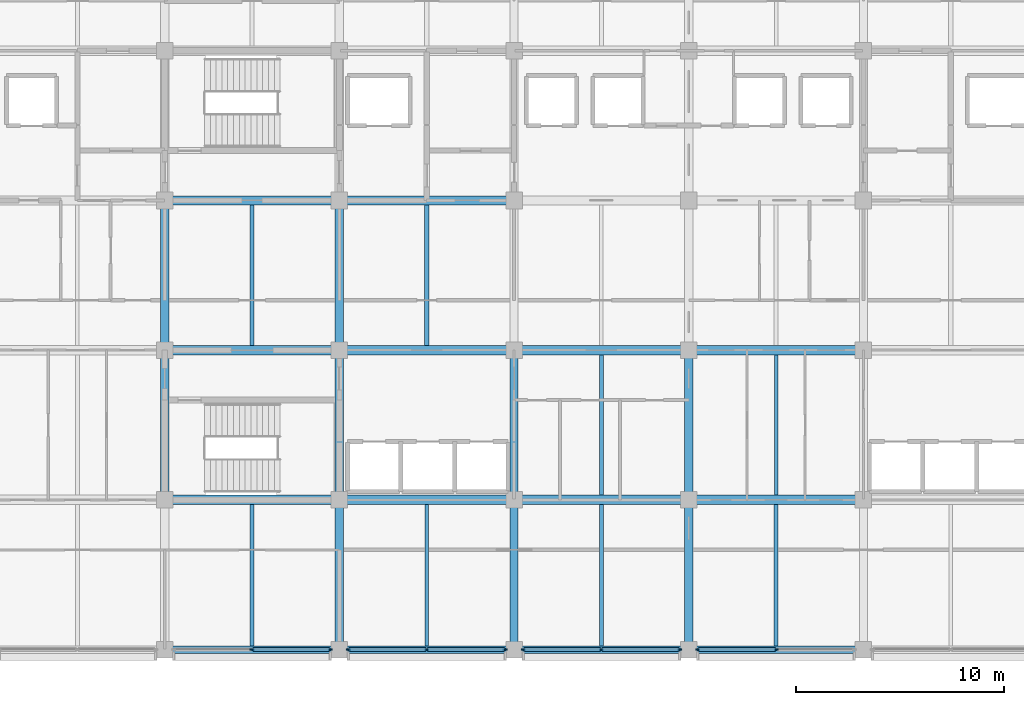
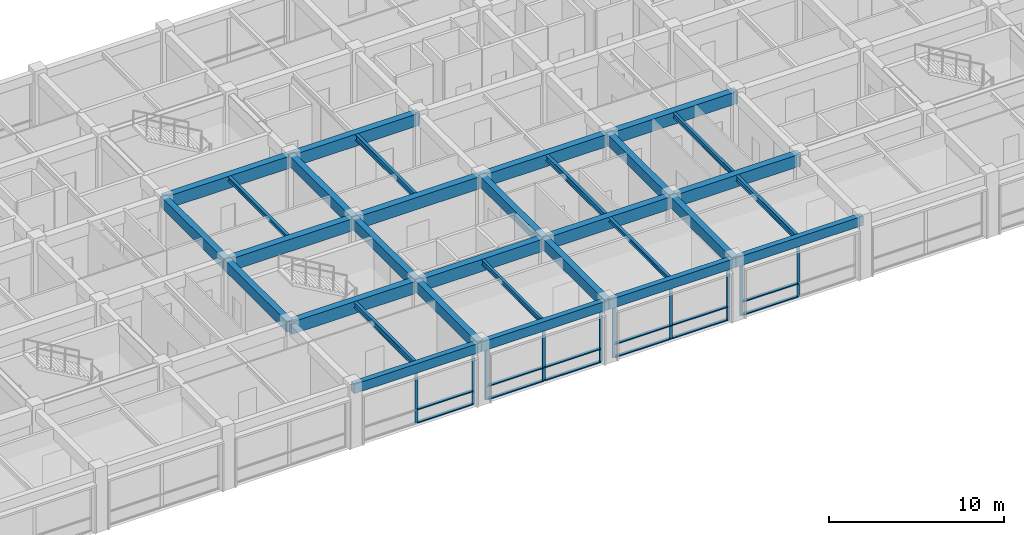
# One storey, part 5 of 30: 31 beams, 28 members, 4 elements without a shape of their own.
"""IFC4 building model written with IfcOpenShell, lengths in metres."""

from ifc_helpers import new_model, si_unit, direction, frame, origin, origin_2d, place, context, subcontext, project, spatial, rectangle, i_section, extrude, material, layer, layer_set, material_profile, profile_set, type_object, element, aggregate, save


model = new_model("IFC4")

# Units and contexts
model_context = context("Model", 3, precision=1e-05, world=origin(), true_north=direction((0.0, 1.0)))
body_context = subcontext(model_context, "Body", "Model", "MODEL_VIEW")
ifc_project = project(units=[si_unit("LENGTHUNIT", "METRE"), si_unit("AREAUNIT", "SQUARE_METRE"), si_unit("VOLUMEUNIT", "CUBIC_METRE"), si_unit("PLANEANGLEUNIT", "RADIAN"), si_unit("MASSUNIT", "GRAM", prefix="KILO")], contexts=[model_context])

# Site, building, storey
site_placement = place(None, origin())
site = spatial("IfcSite", under=ifc_project, at=site_placement, CompositionType="ELEMENT")
building_placement = place(site_placement, origin())
building = spatial("IfcBuilding", under=site, at=building_placement, Name="Chengyuan Square Courthouse", CompositionType="ELEMENT")
storey_placement = place(building_placement, frame((0.0, 0.0, 30.60009765625)))
storey = spatial("IfcBuildingStorey", under=building, at=storey_placement, Name="L07", CompositionType="ELEMENT", Elevation=30.60009765625)

# Beams
ifc_material_1 = material(Name="Concrete C40", Category="concrete")
ifc_material_profile_1 = material_profile(ifc_material_1, rectangle(XDim=0.449951171875, YDim=0.85009765625, at=origin_2d()), Name="RC-BM-450x850")
ifc_profile_set_1 = profile_set([ifc_material_profile_1], Name="Concrete C40")
beam_type_1 = type_object("IfcBeamType", Name="BM-01", PredefinedType="USERDEFINED", material=ifc_profile_set_1)
beam_1_placement = place(storey_placement, frame((58.800048828125, 86.39990234375, 3.81494140625), z_axis=(1.0, 0.0, 0.0), x_axis=(0.0, 1.0, 0.0)))
element("IfcBeam", 1, at=beam_1_placement, inside=storey, type_object=beam_type_1, Name="Girder BM-L07-3594", ObjectType="GIRDER", PredefinedType="USERDEFINED", context=body_context, shape_type="SweptSolid", body=[
    extrude(rectangle(XDim=0.449951171875, YDim=0.85009765625, at=origin_2d()), origin(), (0.0, 0.0, 1.0), 8.39990234375),
])
beam_2_placement = place(storey_placement, frame((67.199951171875, 86.39990234375, 3.81494140625), z_axis=(1.0, 0.0, 0.0), x_axis=(0.0, 1.0, 0.0)))
element("IfcBeam", 2, at=beam_2_placement, inside=storey, type_object=beam_type_1, Name="Girder BM-L07-3595", ObjectType="GIRDER", PredefinedType="USERDEFINED", context=body_context, shape_type="SweptSolid", body=[
    extrude(rectangle(XDim=0.449951171875, YDim=0.85009765625, at=origin_2d()), origin(), (0.0, 0.0, 1.0), 8.400146484375),
])
for number, where, z_axis, x_axis, name in (
    (3, (75.60009765625, 86.39990234375, 3.81494140625), (1.0, 0.0, 0.0), (0.0, 1.0, 0.0), "Girder BM-L07-3596"),
    (4, (84.0, 86.39990234375, 3.81494140625), (1.0, 0.0, 0.0), (0.0, 1.0, 0.0), "Girder BM-L07-3597"),
    (5, (58.800048828125, 93.60009765625, 3.81494140625), (1.0, 0.0, 0.0), (0.0, 1.0, 0.0), "Girder BM-L07-3606"),
):
    element("IfcBeam", number, at=place(storey_placement, frame(where, z_axis=z_axis, x_axis=x_axis)), inside=storey, type_object=beam_type_1, Name=name, ObjectType="GIRDER", PredefinedType="USERDEFINED", context=body_context, shape_type="SweptSolid", body=[
        extrude(rectangle(XDim=0.449951171875, YDim=0.85009765625, at=origin_2d()), origin(), (0.0, 0.0, 1.0), 8.39990234375),
    ])
beam_3_placement = place(storey_placement, frame((67.199951171875, 93.60009765625, 3.81494140625), z_axis=(1.0, 0.0, 0.0), x_axis=(0.0, 1.0, 0.0)))
element("IfcBeam", 6, at=beam_3_placement, inside=storey, type_object=beam_type_1, Name="Girder BM-L07-3607", ObjectType="GIRDER", PredefinedType="USERDEFINED", context=body_context, shape_type="SweptSolid", body=[
    extrude(rectangle(XDim=0.449951171875, YDim=0.85009765625, at=origin_2d()), origin(), (0.0, 0.0, 1.0), 8.400146484375),
])
for number, where, z_axis, x_axis, name in (
    (7, (75.60009765625, 93.60009765625, 3.81494140625), (1.0, 0.0, 0.0), (0.0, 1.0, 0.0), "Girder BM-L07-3608"),
    (8, (84.0, 93.60009765625, 3.81494140625), (1.0, 0.0, 0.0), (0.0, 1.0, 0.0), "Girder BM-L07-3609"),
    (9, (58.800048828125, 100.800048828125, 3.81494140625), (1.0, 0.0, 0.0), (0.0, 1.0, 0.0), "Girder BM-L07-3619"),
):
    element("IfcBeam", number, at=place(storey_placement, frame(where, z_axis=z_axis, x_axis=x_axis)), inside=storey, type_object=beam_type_1, Name=name, ObjectType="GIRDER", PredefinedType="USERDEFINED", context=body_context, shape_type="SweptSolid", body=[
        extrude(rectangle(XDim=0.449951171875, YDim=0.85009765625, at=origin_2d()), origin(), (0.0, 0.0, 1.0), 8.39990234375),
    ])
beam_4_placement = place(storey_placement, frame((67.199951171875, 100.800048828125, 3.81494140625), z_axis=(1.0, 0.0, 0.0), x_axis=(0.0, 1.0, 0.0)))
element("IfcBeam", 10, at=beam_4_placement, inside=storey, type_object=beam_type_1, Name="Girder BM-L07-3620", ObjectType="GIRDER", PredefinedType="USERDEFINED", context=body_context, shape_type="SweptSolid", body=[
    extrude(rectangle(XDim=0.449951171875, YDim=0.85009765625, at=origin_2d()), origin(), (0.0, 0.0, 1.0), 8.400146484375),
])
ifc_material_profile_2 = material_profile(ifc_material_1, rectangle(XDim=0.39990234375, YDim=0.75, at=origin_2d()), Name="RC-BM-400x750")
ifc_profile_set_2 = profile_set([ifc_material_profile_2], Name="Concrete C40")
beam_type_2 = type_object("IfcBeamType", Name="BM-02", PredefinedType="USERDEFINED", material=ifc_profile_set_2)
beam_5_placement = place(storey_placement, frame((58.800048828125, 86.39990234375, 3.864990234375), z_axis=(0.0, 1.0, 0.0), x_axis=(-1.0, 0.0, 0.0)))
element("IfcBeam", 11, at=beam_5_placement, inside=storey, type_object=beam_type_2, Name="Girder BM-L07-3666", ObjectType="GIRDER", PredefinedType="USERDEFINED", context=body_context, shape_type="SweptSolid", body=[
    extrude(rectangle(XDim=0.39990234375, YDim=0.75, at=origin_2d()), origin(), (0.0, 0.0, 1.0), 7.2001953125),
])
for number, where, z_axis, x_axis, name in (
    (12, (58.800048828125, 93.60009765625, 3.864990234375), (0.0, 1.0, 0.0), (-1.0, 0.0, 0.0), "Girder BM-L07-3667"),
    (13, (67.199951171875, 79.199951171875, 3.864990234375), (0.0, 1.0, 0.0), (-1.0, 0.0, 0.0), "Girder BM-L07-3670"),
):
    element("IfcBeam", number, at=place(storey_placement, frame(where, z_axis=z_axis, x_axis=x_axis)), inside=storey, type_object=beam_type_2, Name=name, ObjectType="GIRDER", PredefinedType="USERDEFINED", context=body_context, shape_type="SweptSolid", body=[
        extrude(rectangle(XDim=0.39990234375, YDim=0.75, at=origin_2d()), origin(), (0.0, 0.0, 1.0), 7.199951171875),
    ])
beam_6_placement = place(storey_placement, frame((67.199951171875, 86.39990234375, 3.864990234375), z_axis=(0.0, 1.0, 0.0), x_axis=(-1.0, 0.0, 0.0)))
element("IfcBeam", 14, at=beam_6_placement, inside=storey, type_object=beam_type_2, Name="Girder BM-L07-3671", ObjectType="GIRDER", PredefinedType="USERDEFINED", context=body_context, shape_type="SweptSolid", body=[
    extrude(rectangle(XDim=0.39990234375, YDim=0.75, at=origin_2d()), origin(), (0.0, 0.0, 1.0), 7.2001953125),
])
for number, where, z_axis, x_axis, name in (
    (15, (67.199951171875, 93.60009765625, 3.864990234375), (0.0, 1.0, 0.0), (-1.0, 0.0, 0.0), "Girder BM-L07-3672"),
    (16, (75.60009765625, 79.199951171875, 3.864990234375), (0.0, 1.0, 0.0), (-1.0, 0.0, 0.0), "Girder BM-L07-3675"),
):
    element("IfcBeam", number, at=place(storey_placement, frame(where, z_axis=z_axis, x_axis=x_axis)), inside=storey, type_object=beam_type_2, Name=name, ObjectType="GIRDER", PredefinedType="USERDEFINED", context=body_context, shape_type="SweptSolid", body=[
        extrude(rectangle(XDim=0.39990234375, YDim=0.75, at=origin_2d()), origin(), (0.0, 0.0, 1.0), 7.199951171875),
    ])
beam_7_placement = place(storey_placement, frame((75.60009765625, 86.39990234375, 3.864990234375), z_axis=(0.0, 1.0, 0.0), x_axis=(-1.0, 0.0, 0.0)))
element("IfcBeam", 17, at=beam_7_placement, inside=storey, type_object=beam_type_2, Name="Girder BM-L07-3676", ObjectType="GIRDER", PredefinedType="USERDEFINED", context=body_context, shape_type="SweptSolid", body=[
    extrude(rectangle(XDim=0.39990234375, YDim=0.75, at=origin_2d()), origin(), (0.0, 0.0, 1.0), 7.2001953125),
])
beam_8_placement = place(storey_placement, frame((84.0, 79.199951171875, 3.864990234375), z_axis=(0.0, 1.0, 0.0), x_axis=(-1.0, 0.0, 0.0)))
element("IfcBeam", 18, at=beam_8_placement, inside=storey, type_object=beam_type_2, Name="Girder BM-L07-3680", ObjectType="GIRDER", PredefinedType="USERDEFINED", context=body_context, shape_type="SweptSolid", body=[
    extrude(rectangle(XDim=0.39990234375, YDim=0.75, at=origin_2d()), origin(), (0.0, 0.0, 1.0), 7.199951171875),
])
beam_9_placement = place(storey_placement, frame((84.0, 86.39990234375, 3.864990234375), z_axis=(0.0, 1.0, 0.0), x_axis=(-1.0, 0.0, 0.0)))
element("IfcBeam", 19, at=beam_9_placement, inside=storey, type_object=beam_type_2, Name="Girder BM-L07-3681", ObjectType="GIRDER", PredefinedType="USERDEFINED", context=body_context, shape_type="SweptSolid", body=[
    extrude(rectangle(XDim=0.39990234375, YDim=0.75, at=origin_2d()), origin(), (0.0, 0.0, 1.0), 7.2001953125),
])
ifc_material_profile_3 = material_profile(ifc_material_1, rectangle(XDim=0.35009765625, YDim=0.64990234375, at=origin_2d()), Name="RC-BM-350x650")
ifc_profile_set_3 = profile_set([ifc_material_profile_3], Name="Concrete C40")
beam_type_3 = type_object("IfcBeamType", Name="BM-03", PredefinedType="SPANDREL", material=ifc_profile_set_3)
beam_10_placement = place(storey_placement, frame((58.800048828125, 79.199951171875, 3.914794921875), z_axis=(1.0, 0.0, 0.0), x_axis=(0.0, 1.0, 0.0)))
element("IfcBeam", 20, at=beam_10_placement, inside=storey, type_object=beam_type_3, Name="Girder BM-L07-3581", PredefinedType="SPANDREL", context=body_context, shape_type="SweptSolid", body=[
    extrude(rectangle(XDim=0.35009765625, YDim=0.64990234375, at=origin_2d()), origin(), (0.0, 0.0, 1.0), 8.39990234375),
])
beam_11_placement = place(storey_placement, frame((67.199951171875, 79.199951171875, 3.914794921875), z_axis=(1.0, 0.0, 0.0), x_axis=(0.0, 1.0, 0.0)))
element("IfcBeam", 21, at=beam_11_placement, inside=storey, type_object=beam_type_3, Name="Girder BM-L07-3582", PredefinedType="SPANDREL", context=body_context, shape_type="SweptSolid", body=[
    extrude(rectangle(XDim=0.35009765625, YDim=0.64990234375, at=origin_2d()), origin(), (0.0, 0.0, 1.0), 8.400146484375),
])
for number, where, z_axis, x_axis, name in (
    (22, (75.60009765625, 79.199951171875, 3.914794921875), (1.0, 0.0, 0.0), (0.0, 1.0, 0.0), "Girder BM-L07-3583"),
    (23, (84.0, 79.199951171875, 3.914794921875), (1.0, 0.0, 0.0), (0.0, 1.0, 0.0), "Girder BM-L07-3584"),
):
    element("IfcBeam", number, at=place(storey_placement, frame(where, z_axis=z_axis, x_axis=x_axis)), inside=storey, type_object=beam_type_3, Name=name, PredefinedType="SPANDREL", context=body_context, shape_type="SweptSolid", body=[
        extrude(rectangle(XDim=0.35009765625, YDim=0.64990234375, at=origin_2d()), origin(), (0.0, 0.0, 1.0), 8.39990234375),
    ])
ifc_material_2 = material(Name="Steel Q355B", Category="steel")
ifc_material_profile_4 = material_profile(ifc_material_2, i_section(OverallWidth=0.199951171875, OverallDepth=0.39990234375, WebThickness=0.008056640625, FlangeThickness=0.012939453125, at=origin_2d()), Name="HN 400x200x8x13")
ifc_profile_set_4 = profile_set([ifc_material_profile_4], Name="Steel Q355B")
beam_type_4 = type_object("IfcBeamType", Name="BM-07", PredefinedType="BEAM", material=ifc_profile_set_4)
beam_12_placement = place(storey_placement, frame((63.0, 79.375, 4.039794921875), z_axis=(0.0, 1.0, 0.0), x_axis=(-1.0, 0.0, 0.0)))
element("IfcBeam", 24, at=beam_12_placement, inside=storey, type_object=beam_type_4, Name="Secondary Floor Beam SBM-L07-3730", PredefinedType="BEAM", context=body_context, shape_type="SweptSolid", body=[
    extrude(i_section(OverallWidth=0.199951171875, OverallDepth=0.39990234375, WebThickness=0.008056640625, FlangeThickness=0.012939453125, at=origin_2d()), origin(), (0.0, 0.0, 1.0), 6.800048828125),
])
for number, where, z_axis, x_axis, name in (
    (25, (71.39990234375, 93.824951171875, 4.039794921875), (0.0, 1.0, 0.0), (-1.0, 0.0, 0.0), "Secondary Floor Beam SBM-L07-3734"),
    (26, (79.800048828125, 86.625, 4.039794921875), (0.0, 1.0, 0.0), (-1.0, 0.0, 0.0), "Secondary Floor Beam SBM-L07-3738"),
):
    element("IfcBeam", number, at=place(storey_placement, frame(where, z_axis=z_axis, x_axis=x_axis)), inside=storey, type_object=beam_type_4, Name=name, PredefinedType="BEAM", context=body_context, shape_type="SweptSolid", body=[
        extrude(i_section(OverallWidth=0.199951171875, OverallDepth=0.39990234375, WebThickness=0.008056640625, FlangeThickness=0.012939453125, at=origin_2d()), origin(), (0.0, 0.0, 1.0), 6.75),
    ])
beam_13_placement = place(storey_placement, frame((88.199951171875, 79.375, 4.039794921875), z_axis=(0.0, 1.0, 0.0), x_axis=(-1.0, 0.0, 0.0)))
element("IfcBeam", 27, at=beam_13_placement, inside=storey, type_object=beam_type_4, Name="Secondary Floor Beam SBM-L07-3741", PredefinedType="BEAM", context=body_context, shape_type="SweptSolid", body=[
    extrude(i_section(OverallWidth=0.199951171875, OverallDepth=0.39990234375, WebThickness=0.008056640625, FlangeThickness=0.012939453125, at=origin_2d()), origin(), (0.0, 0.0, 1.0), 6.800048828125),
])
ifc_material_profile_5 = material_profile(ifc_material_2, i_section(OverallWidth=0.175048828125, OverallDepth=0.35009765625, WebThickness=0.007080078125, FlangeThickness=0.010986328125, at=origin_2d()), Name="HN 350x175x7x11")
ifc_profile_set_5 = profile_set([ifc_material_profile_5], Name="Steel Q355B")
beam_type_5 = type_object("IfcBeamType", Name="BM-08", PredefinedType="BEAM", material=ifc_profile_set_5)
beam_14_placement = place(storey_placement, frame((71.39990234375, 79.375, 4.06494140625), z_axis=(0.0, 1.0, 0.0), x_axis=(-1.0, 0.0, 0.0)))
element("IfcBeam", 28, at=beam_14_placement, inside=storey, type_object=beam_type_5, Name="Secondary Floor Beam SBM-L07-3733", PredefinedType="BEAM", context=body_context, shape_type="SweptSolid", body=[
    extrude(i_section(OverallWidth=0.175048828125, OverallDepth=0.35009765625, WebThickness=0.007080078125, FlangeThickness=0.010986328125, at=origin_2d()), origin(), (0.0, 0.0, 1.0), 6.800048828125),
])
beam_15_placement = place(storey_placement, frame((88.199951171875, 86.625, 4.06494140625), z_axis=(0.0, 1.0, 0.0), x_axis=(-1.0, 0.0, 0.0)))
element("IfcBeam", 29, at=beam_15_placement, inside=storey, type_object=beam_type_5, Name="Secondary Floor Beam SBM-L07-3742", PredefinedType="BEAM", context=body_context, shape_type="SweptSolid", body=[
    extrude(i_section(OverallWidth=0.175048828125, OverallDepth=0.35009765625, WebThickness=0.007080078125, FlangeThickness=0.010986328125, at=origin_2d()), origin(), (0.0, 0.0, 1.0), 6.75),
])
ifc_material_profile_6 = material_profile(ifc_material_2, i_section(OverallWidth=0.199951171875, OverallDepth=0.300048828125, WebThickness=0.008056640625, FlangeThickness=0.011962890625, at=origin_2d()), Name="HM 300x200x8x12")
ifc_profile_set_6 = profile_set([ifc_material_profile_6], Name="Steel Q355B")
beam_type_6 = type_object("IfcBeamType", Name="BM-09", PredefinedType="BEAM", material=ifc_profile_set_6)
beam_16_placement = place(storey_placement, frame((63.0, 93.824951171875, 4.08984375), z_axis=(0.0, 1.0, 0.0), x_axis=(-1.0, 0.0, 0.0)))
element("IfcBeam", 30, at=beam_16_placement, inside=storey, type_object=beam_type_6, Name="Secondary Floor Beam SBM-L07-3731", PredefinedType="BEAM", context=body_context, shape_type="SweptSolid", body=[
    extrude(i_section(OverallWidth=0.199951171875, OverallDepth=0.300048828125, WebThickness=0.008056640625, FlangeThickness=0.011962890625, at=origin_2d()), origin(), (0.0, 0.0, 1.0), 6.75),
])
beam_17_placement = place(storey_placement, frame((79.800048828125, 79.375, 4.08984375), z_axis=(0.0, 1.0, 0.0), x_axis=(-1.0, 0.0, 0.0)))
element("IfcBeam", 31, at=beam_17_placement, inside=storey, type_object=beam_type_6, Name="Secondary Floor Beam SBM-L07-3737", PredefinedType="BEAM", context=body_context, shape_type="SweptSolid", body=[
    extrude(i_section(OverallWidth=0.199951171875, OverallDepth=0.300048828125, WebThickness=0.008056640625, FlangeThickness=0.011962890625, at=origin_2d()), origin(), (0.0, 0.0, 1.0), 6.800048828125),
])

# Curtain wall, members
ifc_material_3 = material(Name="Unitised Aluminium and Triple Low-E Glass", Category="aluminium")
ifc_layer = layer(ifc_material_3, 0.199951171875)
ifc_layer_set = layer_set([ifc_layer], Name="Unitised Aluminium and Triple Low-E Glass")
curtain_wall_type = type_object("IfcCurtainWallType", Name="CW-19", PredefinedType="USERDEFINED", material=ifc_layer_set)
curtain_wall_1_placement = place(storey_placement, origin())
curtain_wall_1 = element("IfcCurtainWall", 32, at=curtain_wall_1_placement, inside=storey, type_object=curtain_wall_type, Name="Unitised Curtain Wall CW-L07-208", ObjectType="UNITISED CURTAIN WALL", PredefinedType="USERDEFINED")
ifc_material_4 = material(Name="Aluminium 6063-T6 Frame", Category="aluminium")
ifc_material_profile_7 = material_profile(ifc_material_4, rectangle(XDim=0.070068359375, YDim=0.199951171875, at=origin_2d()), Name="CW-MUL-70x200")
ifc_profile_set_7 = profile_set([ifc_material_profile_7], Name="Aluminium 6063-T6 Frame")
member_type_1 = type_object("IfcMemberType", Name="CWM-03", PredefinedType="MULLION", material=ifc_profile_set_7)
member_1_placement = place(storey_placement, frame((63.0, 79.199951171875, 0.0), z_axis=(0.0, 0.0, 1.0), x_axis=(0.0, 1.0, 0.0)))
member_1 = element("IfcMember", 33, at=member_1_placement, type_object=member_type_1, Name="CW-19 mullion 2", PredefinedType="MULLION", context=body_context, shape_type="SweptSolid", body=[
    extrude(rectangle(XDim=0.070068359375, YDim=0.199951171875, at=origin_2d()), origin(), (0.0, 0.0, 1.0), 3.58984375),
])
member_2_placement = place(storey_placement, frame((66.764892578125, 79.199951171875, 0.0), z_axis=(0.0, 0.0, 1.0), x_axis=(0.0, 1.0, 0.0)))
member_2 = element("IfcMember", 34, at=member_2_placement, type_object=member_type_1, Name="CW-19 mullion 3", PredefinedType="MULLION", context=body_context, shape_type="SweptSolid", body=[
    extrude(rectangle(XDim=0.070068359375, YDim=0.199951171875, at=origin_2d()), origin(), (0.0, 0.0, 1.0), 3.58984375),
])

curtain_wall_2_placement = place(storey_placement, origin())
curtain_wall_2 = element("IfcCurtainWall", 35, at=curtain_wall_2_placement, inside=storey, type_object=curtain_wall_type, Name="Unitised Curtain Wall CW-L07-209", ObjectType="UNITISED CURTAIN WALL", PredefinedType="USERDEFINED")
member_3_placement = place(storey_placement, frame((67.635009765625, 79.199951171875, 0.0), z_axis=(0.0, 0.0, 1.0), x_axis=(0.0, 1.0, 0.0)))
member_3 = element("IfcMember", 36, at=member_3_placement, type_object=member_type_1, Name="CW-19 mullion 1", PredefinedType="MULLION", context=body_context, shape_type="SweptSolid", body=[
    extrude(rectangle(XDim=0.070068359375, YDim=0.199951171875, at=origin_2d()), origin(), (0.0, 0.0, 1.0), 3.58984375),
])
member_4_placement = place(storey_placement, frame((71.39990234375, 79.199951171875, 0.0), z_axis=(0.0, 0.0, 1.0), x_axis=(0.0, 1.0, 0.0)))
member_4 = element("IfcMember", 37, at=member_4_placement, type_object=member_type_1, Name="CW-19 mullion 2", PredefinedType="MULLION", context=body_context, shape_type="SweptSolid", body=[
    extrude(rectangle(XDim=0.070068359375, YDim=0.199951171875, at=origin_2d()), origin(), (0.0, 0.0, 1.0), 3.58984375),
])
member_5_placement = place(storey_placement, frame((75.1650390625, 79.199951171875, 0.0), z_axis=(0.0, 0.0, 1.0), x_axis=(0.0, 1.0, 0.0)))
member_5 = element("IfcMember", 38, at=member_5_placement, type_object=member_type_1, Name="CW-19 mullion 3", PredefinedType="MULLION", context=body_context, shape_type="SweptSolid", body=[
    extrude(rectangle(XDim=0.070068359375, YDim=0.199951171875, at=origin_2d()), origin(), (0.0, 0.0, 1.0), 3.58984375),
])

curtain_wall_3_placement = place(storey_placement, origin())
curtain_wall_3 = element("IfcCurtainWall", 39, at=curtain_wall_3_placement, inside=storey, type_object=curtain_wall_type, Name="Unitised Curtain Wall CW-L07-211", ObjectType="UNITISED CURTAIN WALL", PredefinedType="USERDEFINED")
member_6_placement = place(storey_placement, frame((76.034912109375, 79.199951171875, 0.0), z_axis=(0.0, 0.0, 1.0), x_axis=(0.0, 1.0, 0.0)))
member_6 = element("IfcMember", 40, at=member_6_placement, type_object=member_type_1, Name="CW-19 mullion 1", PredefinedType="MULLION", context=body_context, shape_type="SweptSolid", body=[
    extrude(rectangle(XDim=0.070068359375, YDim=0.199951171875, at=origin_2d()), origin(), (0.0, 0.0, 1.0), 3.58984375),
])
member_7_placement = place(storey_placement, frame((79.800048828125, 79.199951171875, 0.0), z_axis=(0.0, 0.0, 1.0), x_axis=(0.0, 1.0, 0.0)))
member_7 = element("IfcMember", 41, at=member_7_placement, type_object=member_type_1, Name="CW-19 mullion 2", PredefinedType="MULLION", context=body_context, shape_type="SweptSolid", body=[
    extrude(rectangle(XDim=0.070068359375, YDim=0.199951171875, at=origin_2d()), origin(), (0.0, 0.0, 1.0), 3.58984375),
])
member_8_placement = place(storey_placement, frame((83.56494140625, 79.199951171875, 0.0), z_axis=(0.0, 0.0, 1.0), x_axis=(0.0, 1.0, 0.0)))
member_8 = element("IfcMember", 42, at=member_8_placement, type_object=member_type_1, Name="CW-19 mullion 3", PredefinedType="MULLION", context=body_context, shape_type="SweptSolid", body=[
    extrude(rectangle(XDim=0.070068359375, YDim=0.199951171875, at=origin_2d()), origin(), (0.0, 0.0, 1.0), 3.58984375),
])

curtain_wall_4_placement = place(storey_placement, origin())
curtain_wall_4 = element("IfcCurtainWall", 43, at=curtain_wall_4_placement, inside=storey, type_object=curtain_wall_type, Name="Unitised Curtain Wall CW-L07-212", ObjectType="UNITISED CURTAIN WALL", PredefinedType="USERDEFINED")
member_9_placement = place(storey_placement, frame((84.43505859375, 79.199951171875, 0.0), z_axis=(0.0, 0.0, 1.0), x_axis=(0.0, 1.0, 0.0)))
member_9 = element("IfcMember", 44, at=member_9_placement, type_object=member_type_1, Name="CW-19 mullion 1", PredefinedType="MULLION", context=body_context, shape_type="SweptSolid", body=[
    extrude(rectangle(XDim=0.070068359375, YDim=0.199951171875, at=origin_2d()), origin(), (0.0, 0.0, 1.0), 3.58984375),
])
member_10_placement = place(storey_placement, frame((88.199951171875, 79.199951171875, 0.0), z_axis=(0.0, 0.0, 1.0), x_axis=(0.0, 1.0, 0.0)))
member_10 = element("IfcMember", 45, at=member_10_placement, type_object=member_type_1, Name="CW-19 mullion 2", PredefinedType="MULLION", context=body_context, shape_type="SweptSolid", body=[
    extrude(rectangle(XDim=0.070068359375, YDim=0.199951171875, at=origin_2d()), origin(), (0.0, 0.0, 1.0), 3.58984375),
])

# Member
ifc_material_profile_8 = material_profile(ifc_material_4, rectangle(XDim=0.199951171875, YDim=0.070068359375, at=origin_2d()), Name="CW-TRN-70x160")
ifc_profile_set_8 = profile_set([ifc_material_profile_8], Name="Aluminium 6063-T6 Frame")
member_type_2 = type_object("IfcMemberType", Name="CWT-03", PredefinedType="USERDEFINED", material=ifc_profile_set_8)
member_11_placement = place(storey_placement, frame((63.034912109375, 79.199951171875, 0.034912109375), z_axis=(1.0, 0.0, 0.0), x_axis=(0.0, 1.0, 0.0)))
member_11 = element("IfcMember", 46, at=member_11_placement, type_object=member_type_2, Name="CW-19 transom 2.1", ObjectType="TRANSOM", PredefinedType="USERDEFINED", context=body_context, shape_type="SweptSolid", body=[
    extrude(rectangle(XDim=0.199951171875, YDim=0.070068359375, at=origin_2d()), origin(), (0.0, 0.0, 1.0), 3.695068359375),
])

member_12_placement = place(storey_placement, frame((63.034912109375, 79.199951171875, 0.949951171875), z_axis=(1.0, 0.0, 0.0), x_axis=(0.0, 1.0, 0.0)))
member_12 = element("IfcMember", 47, at=member_12_placement, type_object=member_type_2, Name="CW-19 transom 2.2", ObjectType="TRANSOM", PredefinedType="USERDEFINED", context=body_context, shape_type="SweptSolid", body=[
    extrude(rectangle(XDim=0.199951171875, YDim=0.070068359375, at=origin_2d()), origin(), (0.0, 0.0, 1.0), 3.695068359375),
])

member_13_placement = place(storey_placement, frame((63.034912109375, 79.199951171875, 3.554931640625), z_axis=(1.0, 0.0, 0.0), x_axis=(0.0, 1.0, 0.0)))
member_13 = element("IfcMember", 48, at=member_13_placement, type_object=member_type_2, Name="CW-19 transom 2.3", ObjectType="TRANSOM", PredefinedType="USERDEFINED", context=body_context, shape_type="SweptSolid", body=[
    extrude(rectangle(XDim=0.199951171875, YDim=0.070068359375, at=origin_2d()), origin(), (0.0, 0.0, 1.0), 3.695068359375),
])

aggregate(curtain_wall_1, [member_1, member_2, member_11, member_12, member_13])

member_14_placement = place(storey_placement, frame((67.669921875, 79.199951171875, 0.034912109375), z_axis=(1.0, 0.0, 0.0), x_axis=(0.0, 1.0, 0.0)))
member_14 = element("IfcMember", 49, at=member_14_placement, type_object=member_type_2, Name="CW-19 transom 1.1", ObjectType="TRANSOM", PredefinedType="USERDEFINED", context=body_context, shape_type="SweptSolid", body=[
    extrude(rectangle(XDim=0.199951171875, YDim=0.070068359375, at=origin_2d()), origin(), (0.0, 0.0, 1.0), 3.695068359375),
])

member_15_placement = place(storey_placement, frame((67.669921875, 79.199951171875, 0.949951171875), z_axis=(1.0, 0.0, 0.0), x_axis=(0.0, 1.0, 0.0)))
member_15 = element("IfcMember", 50, at=member_15_placement, type_object=member_type_2, Name="CW-19 transom 1.2", ObjectType="TRANSOM", PredefinedType="USERDEFINED", context=body_context, shape_type="SweptSolid", body=[
    extrude(rectangle(XDim=0.199951171875, YDim=0.070068359375, at=origin_2d()), origin(), (0.0, 0.0, 1.0), 3.695068359375),
])

member_16_placement = place(storey_placement, frame((67.669921875, 79.199951171875, 3.554931640625), z_axis=(1.0, 0.0, 0.0), x_axis=(0.0, 1.0, 0.0)))
member_16 = element("IfcMember", 51, at=member_16_placement, type_object=member_type_2, Name="CW-19 transom 1.3", ObjectType="TRANSOM", PredefinedType="USERDEFINED", context=body_context, shape_type="SweptSolid", body=[
    extrude(rectangle(XDim=0.199951171875, YDim=0.070068359375, at=origin_2d()), origin(), (0.0, 0.0, 1.0), 3.695068359375),
])

member_17_placement = place(storey_placement, frame((71.43505859375, 79.199951171875, 0.034912109375), z_axis=(1.0, 0.0, 0.0), x_axis=(0.0, 1.0, 0.0)))
member_17 = element("IfcMember", 52, at=member_17_placement, type_object=member_type_2, Name="CW-19 transom 2.1", ObjectType="TRANSOM", PredefinedType="USERDEFINED", context=body_context, shape_type="SweptSolid", body=[
    extrude(rectangle(XDim=0.199951171875, YDim=0.070068359375, at=origin_2d()), origin(), (0.0, 0.0, 1.0), 3.69482421875),
])

member_18_placement = place(storey_placement, frame((71.43505859375, 79.199951171875, 0.949951171875), z_axis=(1.0, 0.0, 0.0), x_axis=(0.0, 1.0, 0.0)))
member_18 = element("IfcMember", 53, at=member_18_placement, type_object=member_type_2, Name="CW-19 transom 2.2", ObjectType="TRANSOM", PredefinedType="USERDEFINED", context=body_context, shape_type="SweptSolid", body=[
    extrude(rectangle(XDim=0.199951171875, YDim=0.070068359375, at=origin_2d()), origin(), (0.0, 0.0, 1.0), 3.69482421875),
])

member_19_placement = place(storey_placement, frame((71.43505859375, 79.199951171875, 3.554931640625), z_axis=(1.0, 0.0, 0.0), x_axis=(0.0, 1.0, 0.0)))
member_19 = element("IfcMember", 54, at=member_19_placement, type_object=member_type_2, Name="CW-19 transom 2.3", ObjectType="TRANSOM", PredefinedType="USERDEFINED", context=body_context, shape_type="SweptSolid", body=[
    extrude(rectangle(XDim=0.199951171875, YDim=0.070068359375, at=origin_2d()), origin(), (0.0, 0.0, 1.0), 3.69482421875),
])

aggregate(curtain_wall_2, [member_3, member_4, member_5, member_14, member_15, member_16, member_17, member_18, member_19])

member_20_placement = place(storey_placement, frame((76.070068359375, 79.199951171875, 0.034912109375), z_axis=(1.0, 0.0, 0.0), x_axis=(0.0, 1.0, 0.0)))
member_20 = element("IfcMember", 55, at=member_20_placement, type_object=member_type_2, Name="CW-19 transom 1.1", ObjectType="TRANSOM", PredefinedType="USERDEFINED", context=body_context, shape_type="SweptSolid", body=[
    extrude(rectangle(XDim=0.199951171875, YDim=0.070068359375, at=origin_2d()), origin(), (0.0, 0.0, 1.0), 3.69482421875),
])

member_21_placement = place(storey_placement, frame((76.070068359375, 79.199951171875, 0.949951171875), z_axis=(1.0, 0.0, 0.0), x_axis=(0.0, 1.0, 0.0)))
member_21 = element("IfcMember", 56, at=member_21_placement, type_object=member_type_2, Name="CW-19 transom 1.2", ObjectType="TRANSOM", PredefinedType="USERDEFINED", context=body_context, shape_type="SweptSolid", body=[
    extrude(rectangle(XDim=0.199951171875, YDim=0.070068359375, at=origin_2d()), origin(), (0.0, 0.0, 1.0), 3.69482421875),
])

member_22_placement = place(storey_placement, frame((76.070068359375, 79.199951171875, 3.554931640625), z_axis=(1.0, 0.0, 0.0), x_axis=(0.0, 1.0, 0.0)))
member_22 = element("IfcMember", 57, at=member_22_placement, type_object=member_type_2, Name="CW-19 transom 1.3", ObjectType="TRANSOM", PredefinedType="USERDEFINED", context=body_context, shape_type="SweptSolid", body=[
    extrude(rectangle(XDim=0.199951171875, YDim=0.070068359375, at=origin_2d()), origin(), (0.0, 0.0, 1.0), 3.69482421875),
])

member_23_placement = place(storey_placement, frame((79.8349609375, 79.199951171875, 0.034912109375), z_axis=(1.0, 0.0, 0.0), x_axis=(0.0, 1.0, 0.0)))
member_23 = element("IfcMember", 58, at=member_23_placement, type_object=member_type_2, Name="CW-19 transom 2.1", ObjectType="TRANSOM", PredefinedType="USERDEFINED", context=body_context, shape_type="SweptSolid", body=[
    extrude(rectangle(XDim=0.199951171875, YDim=0.070068359375, at=origin_2d()), origin(), (0.0, 0.0, 1.0), 3.695068359375),
])

member_24_placement = place(storey_placement, frame((79.8349609375, 79.199951171875, 0.949951171875), z_axis=(1.0, 0.0, 0.0), x_axis=(0.0, 1.0, 0.0)))
member_24 = element("IfcMember", 59, at=member_24_placement, type_object=member_type_2, Name="CW-19 transom 2.2", ObjectType="TRANSOM", PredefinedType="USERDEFINED", context=body_context, shape_type="SweptSolid", body=[
    extrude(rectangle(XDim=0.199951171875, YDim=0.070068359375, at=origin_2d()), origin(), (0.0, 0.0, 1.0), 3.695068359375),
])

member_25_placement = place(storey_placement, frame((79.8349609375, 79.199951171875, 3.554931640625), z_axis=(1.0, 0.0, 0.0), x_axis=(0.0, 1.0, 0.0)))
member_25 = element("IfcMember", 60, at=member_25_placement, type_object=member_type_2, Name="CW-19 transom 2.3", ObjectType="TRANSOM", PredefinedType="USERDEFINED", context=body_context, shape_type="SweptSolid", body=[
    extrude(rectangle(XDim=0.199951171875, YDim=0.070068359375, at=origin_2d()), origin(), (0.0, 0.0, 1.0), 3.695068359375),
])

aggregate(curtain_wall_3, [member_6, member_7, member_8, member_20, member_21, member_22, member_23, member_24, member_25])

member_26_placement = place(storey_placement, frame((84.469970703125, 79.199951171875, 0.034912109375), z_axis=(1.0, 0.0, 0.0), x_axis=(0.0, 1.0, 0.0)))
member_26 = element("IfcMember", 61, at=member_26_placement, type_object=member_type_2, Name="CW-19 transom 1.1", ObjectType="TRANSOM", PredefinedType="USERDEFINED", context=body_context, shape_type="SweptSolid", body=[
    extrude(rectangle(XDim=0.199951171875, YDim=0.070068359375, at=origin_2d()), origin(), (0.0, 0.0, 1.0), 3.695068359375),
])

member_27_placement = place(storey_placement, frame((84.469970703125, 79.199951171875, 0.949951171875), z_axis=(1.0, 0.0, 0.0), x_axis=(0.0, 1.0, 0.0)))
member_27 = element("IfcMember", 62, at=member_27_placement, type_object=member_type_2, Name="CW-19 transom 1.2", ObjectType="TRANSOM", PredefinedType="USERDEFINED", context=body_context, shape_type="SweptSolid", body=[
    extrude(rectangle(XDim=0.199951171875, YDim=0.070068359375, at=origin_2d()), origin(), (0.0, 0.0, 1.0), 3.695068359375),
])

member_28_placement = place(storey_placement, frame((84.469970703125, 79.199951171875, 3.554931640625), z_axis=(1.0, 0.0, 0.0), x_axis=(0.0, 1.0, 0.0)))
member_28 = element("IfcMember", 63, at=member_28_placement, type_object=member_type_2, Name="CW-19 transom 1.3", ObjectType="TRANSOM", PredefinedType="USERDEFINED", context=body_context, shape_type="SweptSolid", body=[
    extrude(rectangle(XDim=0.199951171875, YDim=0.070068359375, at=origin_2d()), origin(), (0.0, 0.0, 1.0), 3.695068359375),
])

aggregate(curtain_wall_4, [member_9, member_10, member_26, member_27, member_28])

save(model, "model.ifc")
